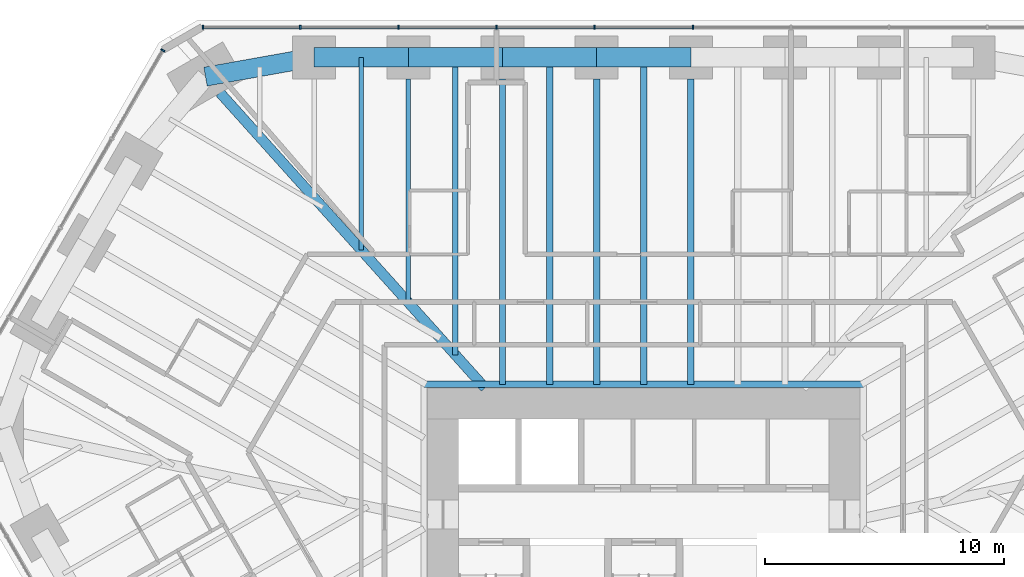
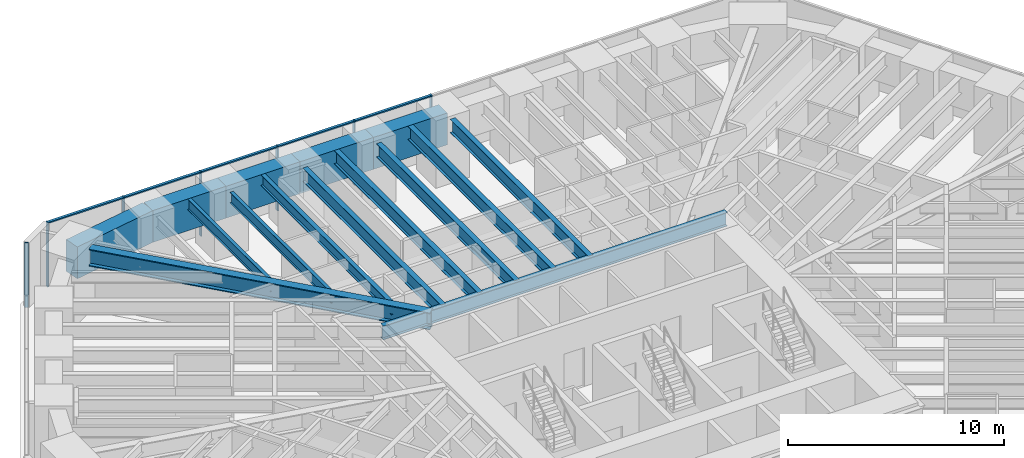
# One storey, part 8 of 16: 15 beams, 12 members, 2 elements without a shape of their own.
"""IFC4 building model written with IfcOpenShell, lengths in metres."""

import ifcopenshell
import ifcopenshell.guid

model = None  # the IFC model being written
_history = None  # IfcOwnerHistory: only IFC2X3 demands one
_inside = {}  # id of a spatial element -> (the spatial element, [elements in it])
_under = {}  # id of a project, library or spatial element -> (it, [spatial elements below it])
_declared = {}  # id of a project -> (the project, [libraries it declares])
_typed = {}  # id of a type object -> (the type object, [elements of that type])
_made_of = {}  # id of a material, layer set ... -> (it, [elements and type objects made of it])


def new_model(schema):
    """Start an empty IFC model of exactly this schema.

    Asked for "IFC4X3", IfcOpenShell would pick the latest addendum, in which some entities
    have other attributes; the version numbers below select the first issue.
    IFC2X3 requires an IfcOwnerHistory on every rooted entity: one is made here for all.
    """
    global model, _history
    if schema == "IFC4X3":
        model = ifcopenshell.file(schema_version=(4, 3, 0, 0))
    else:
        model = ifcopenshell.file(schema=schema)
    _inside.clear()
    _under.clear()
    _declared.clear()
    _typed.clear()
    _made_of.clear()
    _history = None
    if model.schema == "IFC2X3":
        org = make("IfcOrganization", Name="unknown")
        user = make(
            "IfcPersonAndOrganization",
            ThePerson=make("IfcPerson", FamilyName="unknown"),
            TheOrganization=org,
        )
        app = make(
            "IfcApplication",
            ApplicationDeveloper=org,
            Version="unknown",
            ApplicationFullName="unknown",
            ApplicationIdentifier="unknown",
        )
        _history = make(
            "IfcOwnerHistory",
            OwningUser=user,
            OwningApplication=app,
            ChangeAction="ADDED",
            CreationDate=0,
        )
    return model


def make(cls, **values):
    """One entity of the class cls with the attributes given. An attribute that is None is left unset."""
    return model.create_entity(
        cls, **{name: value for name, value in values.items() if value is not None}
    )


def rooted(cls, **values):
    """An entity with a GlobalId (a new one), such as an element, a storey or a relation."""
    return make(cls, GlobalId=ifcopenshell.guid.new(), OwnerHistory=_history, **values)


def si_unit(unit_type, name, prefix=None):
    """IfcSIUnit, for example si_unit("LENGTHUNIT", "METRE", prefix="MILLI")."""
    return make("IfcSIUnit", UnitType=unit_type, Prefix=prefix, Name=name)


def assignment(units):
    """IfcUnitAssignment: the units of a project."""
    return None if units is None else make("IfcUnitAssignment", Units=units)


def point(xyz):
    """IfcCartesianPoint."""
    return None if xyz is None else make("IfcCartesianPoint", Coordinates=xyz)


def direction(xyz):
    """IfcDirection."""
    return None if xyz is None else make("IfcDirection", DirectionRatios=xyz)


def frame(location, z_axis=None, x_axis=None):
    """IfcAxis2Placement3D, a coordinate frame: its origin and axes. An axis left out is left unset."""
    return make(
        "IfcAxis2Placement3D",
        Location=point(location),
        Axis=direction(z_axis),
        RefDirection=direction(x_axis),
    )


def frame_2d(location, x_axis=None):
    """IfcAxis2Placement2D, a coordinate frame in the plane: its origin and x axis."""
    return make(
        "IfcAxis2Placement2D", Location=point(location), RefDirection=direction(x_axis)
    )


def origin():
    """The frame at (0, 0, 0) with its axes left unset."""
    return frame((0.0, 0.0, 0.0))


def origin_2d():
    """The frame at (0, 0) in the plane with its x axis left unset."""
    return frame_2d((0.0, 0.0))


def place(relative_to, where):
    """IfcLocalPlacement: puts the frame where relative to a parent placement (None: the world)."""
    return make(
        "IfcLocalPlacement", PlacementRelTo=relative_to, RelativePlacement=where
    )


def context(
    kind, dimensions, precision=None, world=None, true_north=None, identifier=None
):
    """IfcGeometricRepresentationContext, for example the 3D "Model" context."""
    return make(
        "IfcGeometricRepresentationContext",
        ContextIdentifier=identifier,
        ContextType=kind,
        CoordinateSpaceDimension=dimensions,
        Precision=precision,
        WorldCoordinateSystem=world,
        TrueNorth=true_north,
    )


def subcontext(parent, identifier, kind, view, scale=None):
    """IfcGeometricRepresentationSubContext, for example "Body" below "Model"."""
    return make(
        "IfcGeometricRepresentationSubContext",
        ContextIdentifier=identifier,
        ContextType=kind,
        ParentContext=parent,
        TargetScale=scale,
        TargetView=view,
    )


def project(units=None, contexts=None):
    """IfcProject with its units and contexts."""
    return rooted(
        "IfcProject",
        Name="project",
        RepresentationContexts=contexts,
        UnitsInContext=assignment(units),
    )


def spatial(cls, under=None, at=None, **own):
    """A site, building, storey or space (cls), placed at a placement, below another one or the project."""
    s = rooted(cls, ObjectPlacement=at, **own)
    if under is not None:
        _under.setdefault(under.id(), (under, []))[1].append(s)
    return s


def profile(cls, at=None, kind="AREA", **sizes):
    """A parametric profile (cls). Its sizes go by their IFC names, for example OverallWidth=200.0."""
    return make(cls, ProfileType=kind, Position=at, **sizes)


def rectangle(**sizes):
    """IfcRectangleProfileDef."""
    return profile("IfcRectangleProfileDef", **sizes)


def i_section(**sizes):
    """IfcIShapeProfileDef."""
    return profile("IfcIShapeProfileDef", **sizes)


def extrude(swept, where, along, depth):
    """IfcExtrudedAreaSolid: the profile swept, set in the frame where, extruded along a direction by depth."""
    return make(
        "IfcExtrudedAreaSolid",
        SweptArea=swept,
        Position=where,
        ExtrudedDirection=direction(along),
        Depth=depth,
    )


def shape(context_of_items, identifier, shape_type, items):
    """IfcShapeRepresentation: the items that make up one representation, for example the "Body"."""
    return make(
        "IfcShapeRepresentation",
        ContextOfItems=context_of_items,
        RepresentationIdentifier=identifier,
        RepresentationType=shape_type,
        Items=items,
    )


def material(Name=None, Category=None):
    """IfcMaterial."""
    return make("IfcMaterial", Name=Name, Category=Category)


def material_profile(
    of_material, cross_section, Name=None, Category=None, Priority=None
):
    """IfcMaterialProfile: a cross section and its material."""
    return make(
        "IfcMaterialProfile",
        Name=Name,
        Material=of_material,
        Profile=cross_section,
        Priority=Priority,
        Category=Category,
    )


def profile_set(profiles, Name=None, composite=None):
    """IfcMaterialProfileSet."""
    return make(
        "IfcMaterialProfileSet",
        Name=Name,
        MaterialProfiles=profiles,
        CompositeProfile=composite,
    )


def made_of(thing, what):
    """Note that an element or type object is made of a material, layer set ...; save() writes the relation."""
    if what is not None:
        _made_of.setdefault(what.id(), (what, []))[1].append(thing)
    return thing


def type_object(cls, material=None, **own):
    """A type object (cls), such as IfcWallType, which elements share."""
    return made_of(rooted(cls, **own), material)


def element(
    cls,
    number,
    at=None,
    inside=None,
    cuts=None,
    type_object=None,
    material=None,
    context=None,
    identifier="Body",
    shape_type=None,
    held_by="IfcProductDefinitionShape",
    body=None,
    shapes=None,
    **own,
):
    """One element of the class cls, such as IfcWall. Its Tag is "e" and its number.

    at: its placement. inside: the storey or other place that contains it. cuts: it is an
    opening in that element (IfcRelVoidsElement). A single representation is given by context,
    identifier, shape_type and body (its items); several are given by shapes. held_by: the class
    of the entity that holds the representations. save() writes the other relations.
    """
    e = rooted(cls, Tag="e%d" % number, ObjectPlacement=at, **own)
    if body is not None:
        shapes = [shape(context, identifier, shape_type, body)]
    if shapes is not None:
        e.Representation = make(held_by, Representations=shapes)
    if inside is not None:
        _inside.setdefault(inside.id(), (inside, []))[1].append(e)
    if cuts is not None:
        rooted(
            "IfcRelVoidsElement", RelatingBuildingElement=cuts, RelatedOpeningElement=e
        )
    if type_object is not None:
        _typed.setdefault(type_object.id(), (type_object, []))[1].append(e)
    return made_of(e, material)


def aggregate(whole, parts):
    """IfcRelAggregates: a whole, such as a stair, and the parts it consists of."""
    return rooted("IfcRelAggregates", RelatingObject=whole, RelatedObjects=parts)


def save(model, path):
    """Write the relations noted so far, then the file.

    IfcRelAggregates (storeys below a building ...), IfcRelContainedInSpatialStructure (elements
    in a storey), IfcRelDefinesByType, IfcRelAssociatesMaterial and IfcRelDeclares: one each for
    every whole, place, type object, material and project.
    """
    for whole, parts in _under.values():
        aggregate(whole, parts)
    for where, things in _inside.values():
        rooted(
            "IfcRelContainedInSpatialStructure",
            RelatedElements=things,
            RelatingStructure=where,
        )
    for kind, things in _typed.values():
        rooted("IfcRelDefinesByType", RelatedObjects=things, RelatingType=kind)
    for what, things in _made_of.values():
        rooted("IfcRelAssociatesMaterial", RelatedObjects=things, RelatingMaterial=what)
    for by, libraries in _declared.values():
        rooted("IfcRelDeclares", RelatingContext=by, RelatedDefinitions=libraries)
    model.write(path)


model = new_model("IFC4")

# Units and contexts
model_context = context("Model", 3, precision=1e-05, world=origin(), true_north=direction((0.0, 1.0)))
body_context = subcontext(model_context, "Body", "Model", "MODEL_VIEW")
ifc_project = project(units=[si_unit("LENGTHUNIT", "METRE"), si_unit("AREAUNIT", "SQUARE_METRE"), si_unit("VOLUMEUNIT", "CUBIC_METRE"), si_unit("PLANEANGLEUNIT", "RADIAN"), si_unit("MASSUNIT", "GRAM", prefix="KILO")], contexts=[model_context])

# Site, building, storey
site_placement = place(None, origin())
site = spatial("IfcSite", under=ifc_project, at=site_placement, CompositionType="ELEMENT")
building_placement = place(site_placement, origin())
building = spatial("IfcBuilding", under=site, at=building_placement, Name="Sandreach Pilgrim Tower", CompositionType="ELEMENT")
storey_placement = place(building_placement, frame((0.0, 0.0, 115.800048828125)))
storey = spatial("IfcBuildingStorey", under=building, at=storey_placement, Name="L28", CompositionType="ELEMENT", Elevation=115.800048828125)

# Curtain wall, members
ifc_material_1 = material(Name="Aluminium framed curtain wall", Category="aluminium")
curtain_wall_type = type_object("IfcCurtainWallType", Name="Hotel tower curtain wall", PredefinedType="NOTDEFINED", material=ifc_material_1)
curtain_wall_1_placement = place(storey_placement, origin())
curtain_wall_1 = element("IfcCurtainWall", 1, at=curtain_wall_1_placement, inside=storey, type_object=curtain_wall_type, Name="CW-2 L28 N", PredefinedType="NOTDEFINED")
ifc_material_2 = material(Name="Aluminium extrusion", Category="aluminium")
ifc_material_profile_1 = material_profile(ifc_material_2, rectangle(XDim=0.06494140625, YDim=0.179931640625, at=origin_2d()), Name="CW-2M 65X180")
ifc_profile_set_1 = profile_set([ifc_material_profile_1], Name="Aluminium extrusion")
member_type_1 = type_object("IfcMemberType", Name="CW-2 mullion", PredefinedType="MULLION", material=ifc_profile_set_1)
member_1_placement = place(storey_placement, frame((-18.448974609375, 22.493896484375, 0.0), z_axis=(0.0, 0.0, 1.0), x_axis=(1.0, 0.0, 0.0)))
member_1 = element("IfcMember", 2, at=member_1_placement, type_object=member_type_1, Name="CW-2 mullion 1", PredefinedType="MULLION", context=body_context, shape_type="SweptSolid", body=[
    extrude(rectangle(XDim=0.06494140625, YDim=0.179931640625, at=origin_2d()), origin(), (0.0, 0.0, 1.0), 3.639892578125),
])
member_2_placement = place(storey_placement, frame((-14.37451171875, 22.493896484375, 0.0), z_axis=(0.0, 0.0, 1.0), x_axis=(1.0, 0.0, 0.0)))
member_2 = element("IfcMember", 3, at=member_2_placement, type_object=member_type_1, Name="CW-2 mullion 2", PredefinedType="MULLION", context=body_context, shape_type="SweptSolid", body=[
    extrude(rectangle(XDim=0.06494140625, YDim=0.179931640625, at=origin_2d()), origin(), (0.0, 0.0, 1.0), 3.639892578125),
])
member_3_placement = place(storey_placement, frame((-10.267333984375, 22.493896484375, 0.0), z_axis=(0.0, 0.0, 1.0), x_axis=(1.0, 0.0, 0.0)))
member_3 = element("IfcMember", 4, at=member_3_placement, type_object=member_type_1, Name="CW-2 mullion 3", PredefinedType="MULLION", context=body_context, shape_type="SweptSolid", body=[
    extrude(rectangle(XDim=0.06494140625, YDim=0.179931640625, at=origin_2d()), origin(), (0.0, 0.0, 1.0), 3.639892578125),
])
member_4_placement = place(storey_placement, frame((-6.160400390625, 22.493896484375, 0.0), z_axis=(0.0, 0.0, 1.0), x_axis=(1.0, 0.0, 0.0)))
member_4 = element("IfcMember", 5, at=member_4_placement, type_object=member_type_1, Name="CW-2 mullion 4", PredefinedType="MULLION", context=body_context, shape_type="SweptSolid", body=[
    extrude(rectangle(XDim=0.06494140625, YDim=0.179931640625, at=origin_2d()), origin(), (0.0, 0.0, 1.0), 3.639892578125),
])
member_5_placement = place(storey_placement, frame((-2.053466796875, 22.493896484375, 0.0), z_axis=(0.0, 0.0, 1.0), x_axis=(1.0, 0.0, 0.0)))
member_5 = element("IfcMember", 6, at=member_5_placement, type_object=member_type_1, Name="CW-2 mullion 5", PredefinedType="MULLION", context=body_context, shape_type="SweptSolid", body=[
    extrude(rectangle(XDim=0.06494140625, YDim=0.179931640625, at=origin_2d()), origin(), (0.0, 0.0, 1.0), 3.639892578125),
])
member_6_placement = place(storey_placement, frame((2.053466796875, 22.493896484375, 0.0), z_axis=(0.0, 0.0, 1.0), x_axis=(1.0, 0.0, 0.0)))
member_6 = element("IfcMember", 7, at=member_6_placement, type_object=member_type_1, Name="CW-2 mullion 6", PredefinedType="MULLION", context=body_context, shape_type="SweptSolid", body=[
    extrude(rectangle(XDim=0.06494140625, YDim=0.179931640625, at=origin_2d()), origin(), (0.0, 0.0, 1.0), 3.639892578125),
])

# Curtain wall, member
curtain_wall_2_placement = place(storey_placement, origin())
curtain_wall_2 = element("IfcCurtainWall", 8, at=curtain_wall_2_placement, inside=storey, type_object=curtain_wall_type, Name="CW-2 L28 NW", PredefinedType="NOTDEFINED")
member_7_placement = place(storey_placement, frame((-20.125732421875, 21.525634765625, 0.0), z_axis=(0.0, 0.0, 1.0), x_axis=(0.5, 0.866025403784, 0.0)))
member_7 = element("IfcMember", 9, at=member_7_placement, type_object=member_type_1, Name="CW-2 mullion 5", PredefinedType="MULLION", context=body_context, shape_type="SweptSolid", body=[
    extrude(rectangle(XDim=0.06494140625, YDim=0.179931640625, at=origin_2d()), origin(), (0.0, 0.0, 1.0), 3.639892578125),
])
aggregate(curtain_wall_2, [member_7])

# Member
ifc_material_3 = material(Name="Aluminium extrusion", Category="aluminium")
ifc_material_profile_2 = material_profile(ifc_material_3, rectangle(XDim=0.139892578125, YDim=0.070068359375, at=origin_2d()), Name="CW-2T 140X70")
ifc_profile_set_2 = profile_set([ifc_material_profile_2], Name="Aluminium extrusion")
member_type_2 = type_object("IfcMemberType", Name="CW-2 transom", PredefinedType="USERDEFINED", material=ifc_profile_set_2)
member_8_placement = place(storey_placement, frame((-18.416259765625, 22.493896484375, 3.60498046875), z_axis=(1.0, 0.0, 0.0), x_axis=(0.0, 1.0, 0.0)))
member_8 = element("IfcMember", 10, at=member_8_placement, type_object=member_type_2, Name="CW-2 head transom 1", ObjectType="TRANSOM", PredefinedType="USERDEFINED", context=body_context, shape_type="SweptSolid", body=[
    extrude(rectangle(XDim=0.139892578125, YDim=0.070068359375, at=origin_2d()), origin(), (0.0, 0.0, 1.0), 4.00927734375),
])

member_9_placement = place(storey_placement, frame((-14.341796875, 22.493896484375, 3.60498046875), z_axis=(1.0, 0.0, 0.0), x_axis=(0.0, 1.0, 0.0)))
member_9 = element("IfcMember", 11, at=member_9_placement, type_object=member_type_2, Name="CW-2 head transom 2", ObjectType="TRANSOM", PredefinedType="USERDEFINED", context=body_context, shape_type="SweptSolid", body=[
    extrude(rectangle(XDim=0.139892578125, YDim=0.070068359375, at=origin_2d()), origin(), (0.0, 0.0, 1.0), 4.041748046875),
])

member_10_placement = place(storey_placement, frame((-10.23486328125, 22.493896484375, 3.60498046875), z_axis=(1.0, 0.0, 0.0), x_axis=(0.0, 1.0, 0.0)))
member_10 = element("IfcMember", 12, at=member_10_placement, type_object=member_type_2, Name="CW-2 head transom 3", ObjectType="TRANSOM", PredefinedType="USERDEFINED", context=body_context, shape_type="SweptSolid", body=[
    extrude(rectangle(XDim=0.139892578125, YDim=0.070068359375, at=origin_2d()), origin(), (0.0, 0.0, 1.0), 4.0419921875),
])

member_11_placement = place(storey_placement, frame((-6.1279296875, 22.493896484375, 3.60498046875), z_axis=(1.0, 0.0, 0.0), x_axis=(0.0, 1.0, 0.0)))
member_11 = element("IfcMember", 13, at=member_11_placement, type_object=member_type_2, Name="CW-2 head transom 4", ObjectType="TRANSOM", PredefinedType="USERDEFINED", context=body_context, shape_type="SweptSolid", body=[
    extrude(rectangle(XDim=0.139892578125, YDim=0.070068359375, at=origin_2d()), origin(), (0.0, 0.0, 1.0), 4.0419921875),
])

member_12_placement = place(storey_placement, frame((-2.02099609375, 22.493896484375, 3.60498046875), z_axis=(1.0, 0.0, 0.0), x_axis=(0.0, 1.0, 0.0)))
member_12 = element("IfcMember", 14, at=member_12_placement, type_object=member_type_2, Name="CW-2 head transom 5", ObjectType="TRANSOM", PredefinedType="USERDEFINED", context=body_context, shape_type="SweptSolid", body=[
    extrude(rectangle(XDim=0.139892578125, YDim=0.070068359375, at=origin_2d()), origin(), (0.0, 0.0, 1.0), 4.0419921875),
])

aggregate(curtain_wall_1, [member_1, member_2, member_3, member_4, member_5, member_6, member_8, member_9, member_10, member_11, member_12])

# Beams
ifc_material_4 = material(Name="Steel ASTM A992 Grade 50", Category="steel")
ifc_material_profile_3 = material_profile(ifc_material_4, i_section(OverallWidth=0.2666015625, OverallDepth=0.77978515625, WebThickness=0.0166015625, FlangeThickness=0.030029296875, at=origin_2d()), Name="W30X148")
ifc_profile_set_3 = profile_set([ifc_material_profile_3], Name="Steel ASTM A992 Grade 50")
beam_type_1 = type_object("IfcBeamType", Name="Core edge beam W30X148", PredefinedType="BEAM", material=ifc_profile_set_3)
beam_1_placement = place(storey_placement, frame((-9.193359375, 7.54345703125, 3.25), z_axis=(1.0, 0.0, 0.0), x_axis=(0.0, 1.0, 0.0)))
element("IfcBeam", 15, at=beam_1_placement, inside=storey, type_object=beam_type_1, Name="BM L28 CEN", PredefinedType="BEAM", context=body_context, shape_type="SweptSolid", body=[
    extrude(i_section(OverallWidth=0.2666015625, OverallDepth=0.77978515625, WebThickness=0.0166015625, FlangeThickness=0.030029296875, at=origin_2d()), origin(), (0.0, 0.0, 1.0), 18.38671875),
])
ifc_material_5 = material(Name="Steel ASTM A992 Grade 50", Category="steel")
ifc_material_profile_4 = material_profile(ifc_material_5, i_section(OverallWidth=0.424072265625, OverallDepth=0.965087890625, WebThickness=0.028564453125, FlangeThickness=0.051025390625, at=origin_2d()), Name="W36X361")
ifc_profile_set_4 = profile_set([ifc_material_profile_4], Name="Steel ASTM A992 Grade 50")
beam_type_2 = type_object("IfcBeamType", Name="Corner girder W36X361", PredefinedType="BEAM", material=ifc_profile_set_4)
beam_2_placement = place(storey_placement, frame((-17.738037109375, 19.754150390625, 3.157470703125), z_axis=(0.66811374471, -0.74405915365, 0.0), x_axis=(0.74405915365, 0.66811374471, 0.0)))
element("IfcBeam", 16, at=beam_2_placement, inside=storey, type_object=beam_type_2, Name="BM L28 CG39", PredefinedType="BEAM", context=body_context, shape_type="SweptSolid", body=[
    extrude(i_section(OverallWidth=0.424072265625, OverallDepth=0.965087890625, WebThickness=0.028564453125, FlangeThickness=0.051025390625, at=origin_2d()), origin(), (0.0, 0.0, 1.0), 16.603759765625),
])
ifc_material_6 = material(Name="Steel ASTM A992 Grade 50", Category="steel")
ifc_material_profile_5 = material_profile(ifc_material_6, i_section(OverallWidth=0.1787109375, OverallDepth=0.60205078125, WebThickness=0.010986328125, FlangeThickness=0.014892578125, at=origin_2d()), Name="W24X62")
ifc_profile_set_5 = profile_set([ifc_material_profile_5], Name="Steel ASTM A992 Grade 50")
beam_type_3 = type_object("IfcBeamType", Name="Floor beam W24X62", PredefinedType="BEAM", material=ifc_profile_set_5)
beam_3_placement = place(storey_placement, frame((-9.849853515625, 20.333740234375, 3.3388671875), z_axis=(0.0, -1.0, 0.0), x_axis=(1.0, 0.0, 0.0)))
element("IfcBeam", 17, at=beam_3_placement, inside=storey, type_object=beam_type_3, Name="BM L28 F02", PredefinedType="BEAM", context=body_context, shape_type="SweptSolid", body=[
    extrude(i_section(OverallWidth=0.1787109375, OverallDepth=0.60205078125, WebThickness=0.010986328125, FlangeThickness=0.014892578125, at=origin_2d()), origin(), (0.0, 0.0, 1.0), 9.3642578125),
])
beam_4_placement = place(storey_placement, frame((-11.81982421875, 21.23388671875, 3.3388671875), z_axis=(0.0, -1.0, 0.0), x_axis=(1.0, 0.0, 0.0)))
element("IfcBeam", 18, at=beam_4_placement, inside=storey, type_object=beam_type_3, Name="BM L28 FM01", PredefinedType="BEAM", context=body_context, shape_type="SweptSolid", body=[
    extrude(i_section(OverallWidth=0.1787109375, OverallDepth=0.60205078125, WebThickness=0.010986328125, FlangeThickness=0.014892578125, at=origin_2d()), origin(), (0.0, 0.0, 1.0), 8.070556640625),
])
ifc_material_7 = material(Name="Steel ASTM A992 Grade 50", Category="steel")
ifc_material_profile_6 = material_profile(ifc_material_7, i_section(OverallWidth=0.23046875, OverallDepth=0.6171875, WebThickness=0.01318359375, FlangeThickness=0.022216796875, at=origin_2d()), Name="W24X94")
ifc_profile_set_6 = profile_set([ifc_material_profile_6], Name="Steel ASTM A992 Grade 50")
beam_type_4 = type_object("IfcBeamType", Name="Floor beam W24X94", PredefinedType="BEAM", material=ifc_profile_set_6)
beam_5_placement = place(storey_placement, frame((-7.8798828125, 21.23388671875, 3.331298828125), z_axis=(0.0, -1.0, 0.0), x_axis=(1.0, 0.0, 0.0)))
element("IfcBeam", 19, at=beam_5_placement, inside=storey, type_object=beam_type_4, Name="BM L28 FM02", PredefinedType="BEAM", context=body_context, shape_type="SweptSolid", body=[
    extrude(i_section(OverallWidth=0.23046875, OverallDepth=0.6171875, WebThickness=0.01318359375, FlangeThickness=0.022216796875, at=origin_2d()), origin(), (0.0, 0.0, 1.0), 12.458251953125),
])
ifc_material_8 = material(Name="Steel ASTM A992 Grade 50", Category="steel")
ifc_material_profile_7 = material_profile(ifc_material_8, i_section(OverallWidth=0.2666015625, OverallDepth=0.761962890625, WebThickness=0.014404296875, FlangeThickness=0.021484375, at=origin_2d()), Name="W30X116")
ifc_profile_set_7 = profile_set([ifc_material_profile_7], Name="Steel ASTM A992 Grade 50")
beam_type_5 = type_object("IfcBeamType", Name="Floor beam W30X116", PredefinedType="BEAM", material=ifc_profile_set_7)
for number, where, z_axis, x_axis, name in (
    (20, (-5.909912109375, 20.333740234375, 3.259033203125), (0.0, -1.0, 0.0), (1.0, 0.0, 0.0), "BM L28 F03"),
    (21, (-1.969970703125, 20.333740234375, 3.259033203125), (0.0, -1.0, 0.0), (1.0, 0.0, 0.0), "BM L28 F04"),
    (22, (1.969970703125, 20.333740234375, 3.259033203125), (0.0, -1.0, 0.0), (1.0, 0.0, 0.0), "BM L28 F05"),
):
    element("IfcBeam", number, at=place(storey_placement, frame(where, z_axis=z_axis, x_axis=x_axis)), inside=storey, type_object=beam_type_5, Name=name, PredefinedType="BEAM", context=body_context, shape_type="SweptSolid", body=[
        extrude(i_section(OverallWidth=0.2666015625, OverallDepth=0.761962890625, WebThickness=0.014404296875, FlangeThickness=0.021484375, at=origin_2d()), origin(), (0.0, 0.0, 1.0), 12.790283203125),
    ])
for number, where, z_axis, x_axis, name in (
    (23, (-3.93994140625, 21.23388671875, 3.259033203125), (0.0, -1.0, 0.0), (1.0, 0.0, 0.0), "BM L28 FM03"),
    (24, (0.0, 21.23388671875, 3.259033203125), (0.0, -1.0, 0.0), (1.0, 0.0, 0.0), "BM L28 FM04"),
):
    element("IfcBeam", number, at=place(storey_placement, frame(where, z_axis=z_axis, x_axis=x_axis)), inside=storey, type_object=beam_type_5, Name=name, PredefinedType="BEAM", context=body_context, shape_type="SweptSolid", body=[
        extrude(i_section(OverallWidth=0.2666015625, OverallDepth=0.761962890625, WebThickness=0.014404296875, FlangeThickness=0.021484375, at=origin_2d()), origin(), (0.0, 0.0, 1.0), 13.6904296875),
    ])
ifc_material_9 = material(Name="Concrete 10000 psi", Category="concrete")
ifc_material_profile_8 = material_profile(ifc_material_9, rectangle(XDim=0.800048828125, YDim=1.800048828125, at=origin_2d()), Name="RC800X1800")
ifc_profile_set_8 = profile_set([ifc_material_profile_8], Name="Concrete 10000 psi")
beam_type_6 = type_object("IfcBeamType", Name="Spandrel beam RC800X1800", PredefinedType="SPANDREL", material=ifc_profile_set_8)
for number, where, z_axis, x_axis, name in (
    (25, (-13.789794921875, 21.23388671875, 2.739990234375), (1.0, 0.0, 0.0), (0.0, 1.0, 0.0), "BM L28 SP01"),
    (26, (-9.849853515625, 21.23388671875, 2.739990234375), (1.0, 0.0, 0.0), (0.0, 1.0, 0.0), "BM L28 SP02"),
    (27, (-5.909912109375, 21.23388671875, 2.739990234375), (1.0, 0.0, 0.0), (0.0, 1.0, 0.0), "BM L28 SP03"),
    (28, (-1.969970703125, 21.23388671875, 2.739990234375), (1.0, 0.0, 0.0), (0.0, 1.0, 0.0), "BM L28 SP04"),
):
    element("IfcBeam", number, at=place(storey_placement, frame(where, z_axis=z_axis, x_axis=x_axis)), inside=storey, type_object=beam_type_6, Name=name, PredefinedType="SPANDREL", context=body_context, shape_type="SweptSolid", body=[
        extrude(rectangle(XDim=0.800048828125, YDim=1.800048828125, at=origin_2d()), origin(), (0.0, 0.0, 1.0), 3.93994140625),
    ])
beam_6_placement = place(storey_placement, frame((-18.33935546875, 20.423828125, 2.739990234375), z_axis=(0.984515938739, 0.175295083699, 0.0), x_axis=(-0.175295083699, 0.984515938739, 0.0)))
element("IfcBeam", 29, at=beam_6_placement, inside=storey, type_object=beam_type_6, Name="BM L28 SP39", PredefinedType="SPANDREL", context=body_context, shape_type="SweptSolid", body=[
    extrude(rectangle(XDim=0.800048828125, YDim=1.800048828125, at=origin_2d()), origin(), (0.0, 0.0, 1.0), 4.62109375),
])

save(model, "model.ifc")
